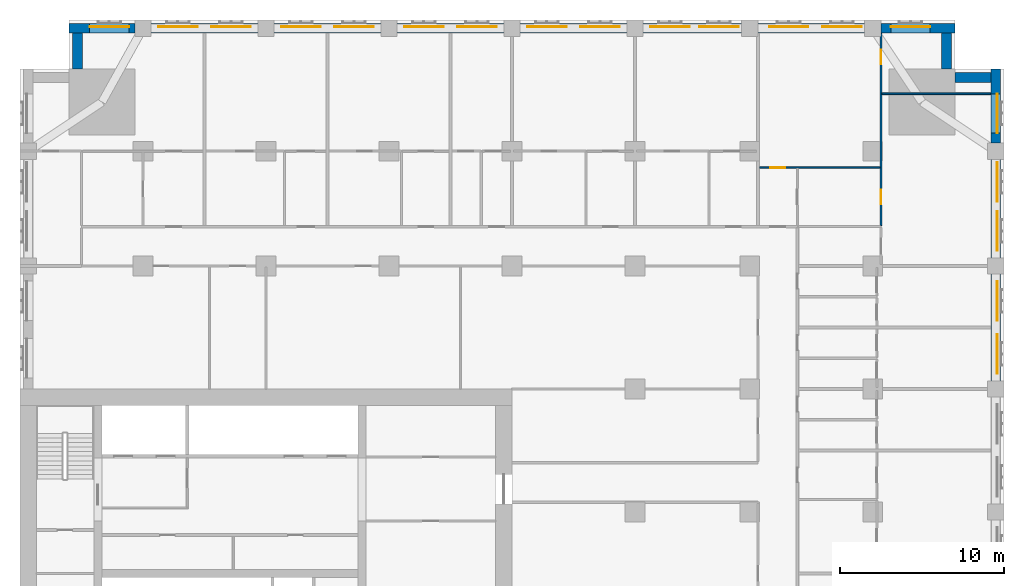
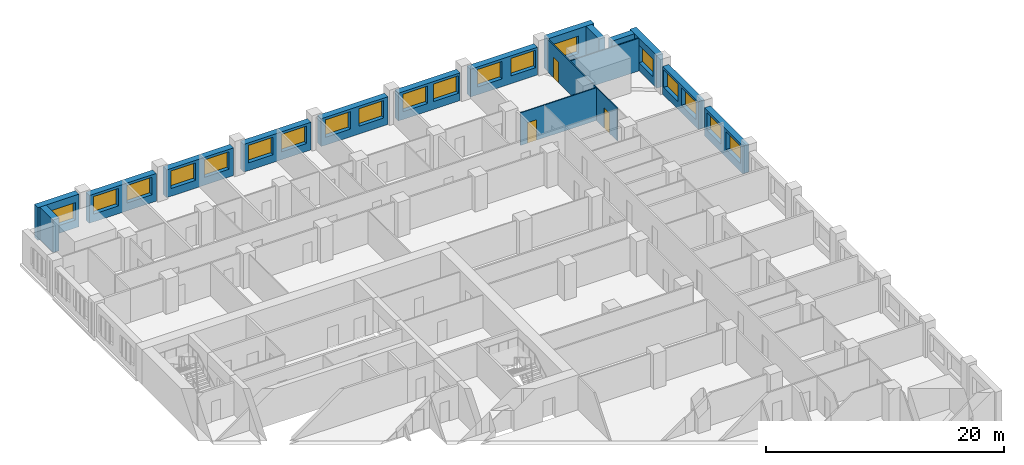
# One storey, part 11 of 14: 19 windows, 17 walls, 3 doors, 22 openings.
"""IFC4 building model written with IfcOpenShell, lengths in metres."""

from ifc_helpers import new_model, si_unit, direction, frame, frame_2d, origin, place, context, subcontext, project, spatial, rectangle, extrude, material, layer, layer_set, type_object, element, fill, save


model = new_model("IFC4")

# Units and contexts
model_context = context("Model", 3, precision=1e-05, world=origin(), true_north=direction((0.0, 1.0)))
body_context = subcontext(model_context, "Body", "Model", "MODEL_VIEW")
ifc_project = project(units=[si_unit("LENGTHUNIT", "METRE"), si_unit("AREAUNIT", "SQUARE_METRE"), si_unit("VOLUMEUNIT", "CUBIC_METRE"), si_unit("PLANEANGLEUNIT", "RADIAN"), si_unit("MASSUNIT", "GRAM", prefix="KILO")], contexts=[model_context])

# Site, building, storey
site_placement = place(None, origin())
site = spatial("IfcSite", under=ifc_project, at=site_placement, CompositionType="ELEMENT")
building_placement = place(site_placement, origin())
building = spatial("IfcBuilding", under=site, at=building_placement, Name="Tamorin Gate", CompositionType="ELEMENT")
storey_placement = place(building_placement, frame((0.0, 0.0, 59.199951171875)))
storey = spatial("IfcBuildingStorey", under=building, at=storey_placement, Name="L13", CompositionType="ELEMENT", Elevation=59.199951171875)

# Wall, openings, windows
ifc_material_1 = material(Name="Precast concrete C40/50", Category="concrete")
ifc_layer_1 = layer(ifc_material_1, 0.60009765625)
ifc_layer_set_1 = layer_set([ifc_layer_1], Name="Precast concrete C40/50")
wall_type_1 = type_object("IfcWallType", Name="Board-marked concrete facade panel 600", PredefinedType="SOLIDWALL", material=ifc_layer_set_1)
wall_1_placement = place(storey_placement, frame((89.5, 83.0, 0.0), z_axis=(0.0, 0.0, 1.0), x_axis=(0.0, 1.0, 0.0)))
wall_1 = element("IfcWall", 1, at=wall_1_placement, inside=storey, type_object=wall_type_1, Name="Facade panel", PredefinedType="SOLIDWALL", context=body_context, shape_type="SweptSolid", body=[
    extrude(rectangle(XDim=6.5, YDim=0.60009765625, at=frame_2d((3.25, 0.0))), origin(), (0.0, 0.0, 1.0), 2.85009765625),
])
opening_1_placement = place(wall_1_placement, frame((0.425048828125, 0.0, 0.800048828125)))
opening_1 = element("IfcOpeningElement", 2, at=opening_1_placement, cuts=wall_1, Name="Opening WN1", PredefinedType="OPENING", context=body_context, shape_type="SweptSolid", body=[
    extrude(rectangle(XDim=2.39990234375, YDim=1.800048828125, at=frame_2d((1.199951171875, 0.89990234375))), frame((0.0, 0.31005859375, 0.0), z_axis=(0.0, -1.0, 0.0), x_axis=(1.0, 0.0, 0.0)), (0.0, 0.0, 1.0), 0.6201171875),
])
opening_2_placement = place(wall_1_placement, frame((3.675048828125, 0.0, 0.800048828125)))
opening_2 = element("IfcOpeningElement", 3, at=opening_2_placement, cuts=wall_1, Name="Opening WN1", PredefinedType="OPENING", context=body_context, shape_type="SweptSolid", body=[
    extrude(rectangle(XDim=2.39990234375, YDim=1.800048828125, at=frame_2d((1.199951171875, 0.89990234375))), frame((0.0, 0.31005859375, 0.0), z_axis=(0.0, -1.0, 0.0), x_axis=(1.0, 0.0, 0.0)), (0.0, 0.0, 1.0), 0.6201171875),
])
ifc_material_2 = material(Name="Clear glass in aluminium frame", Category="aluminium")
window_type = type_object("IfcWindowType", Name="Deep-set window 2400x1800", PartitioningType="SINGLE_PANEL", PredefinedType="WINDOW", material=ifc_material_2)
window_1_placement = place(opening_1_placement, origin())
window_1 = element("IfcWindow", 4, at=window_1_placement, inside=storey, type_object=window_type, Name="Deep-set window", OverallHeight=1.800048828125, OverallWidth=2.39990234375, PartitioningType="SINGLE_PANEL", PredefinedType="WINDOW", context=body_context, shape_type="SweptSolid", body=[
    extrude(rectangle(XDim=2.39990234375, YDim=1.800048828125, at=frame_2d((1.199951171875, 0.89990234375))), frame((0.0, -0.070068359375, 0.0), z_axis=(0.0, -1.0, 0.0), x_axis=(1.0, 0.0, 0.0)), (0.0, 0.0, 1.0), 0.06005859375),
])
fill(opening_1, window_1)
window_2_placement = place(opening_2_placement, origin())
window_2 = element("IfcWindow", 5, at=window_2_placement, inside=storey, type_object=window_type, Name="Deep-set window", OverallHeight=1.800048828125, OverallWidth=2.39990234375, PartitioningType="SINGLE_PANEL", PredefinedType="WINDOW", context=body_context, shape_type="SweptSolid", body=[
    extrude(rectangle(XDim=2.39990234375, YDim=1.800048828125, at=frame_2d((1.199951171875, 0.89990234375))), frame((0.0, -0.070068359375, 0.0), z_axis=(0.0, -1.0, 0.0), x_axis=(1.0, 0.0, 0.0)), (0.0, 0.0, 1.0), 0.06005859375),
])
fill(opening_2, window_2)

wall_2_placement = place(storey_placement, frame((89.5, 90.5, 0.0), z_axis=(0.0, 0.0, 1.0), x_axis=(0.0, 1.0, 0.0)))
wall_2 = element("IfcWall", 6, at=wall_2_placement, inside=storey, type_object=wall_type_1, Name="Facade panel", PredefinedType="SOLIDWALL", context=body_context, shape_type="SweptSolid", body=[
    extrude(rectangle(XDim=6.0, YDim=0.60009765625, at=frame_2d((3.0, 0.0))), origin(), (0.0, 0.0, 1.0), 2.85009765625),
])
opening_3_placement = place(wall_2_placement, frame((0.425048828125, 0.0, 0.800048828125)))
opening_3 = element("IfcOpeningElement", 7, at=opening_3_placement, cuts=wall_2, Name="Opening WN1", PredefinedType="OPENING", context=body_context, shape_type="SweptSolid", body=[
    extrude(rectangle(XDim=2.39990234375, YDim=1.800048828125, at=frame_2d((1.199951171875, 0.89990234375))), frame((0.0, 0.31005859375, 0.0), z_axis=(0.0, -1.0, 0.0), x_axis=(1.0, 0.0, 0.0)), (0.0, 0.0, 1.0), 0.6201171875),
])
opening_4_placement = place(wall_2_placement, frame((3.425048828125, 0.0, 0.800048828125)))
opening_4 = element("IfcOpeningElement", 8, at=opening_4_placement, cuts=wall_2, Name="Opening WN1", PredefinedType="OPENING", context=body_context, shape_type="SweptSolid", body=[
    extrude(rectangle(XDim=2.39990234375, YDim=1.800048828125, at=frame_2d((1.199951171875, 0.89990234375))), frame((0.0, 0.31005859375, 0.0), z_axis=(0.0, -1.0, 0.0), x_axis=(1.0, 0.0, 0.0)), (0.0, 0.0, 1.0), 0.6201171875),
])
window_3_placement = place(opening_3_placement, origin())
window_3 = element("IfcWindow", 9, at=window_3_placement, inside=storey, type_object=window_type, Name="Deep-set window", OverallHeight=1.800048828125, OverallWidth=2.39990234375, PartitioningType="SINGLE_PANEL", PredefinedType="WINDOW", context=body_context, shape_type="SweptSolid", body=[
    extrude(rectangle(XDim=2.39990234375, YDim=1.800048828125, at=frame_2d((1.199951171875, 0.89990234375))), frame((0.0, -0.070068359375, 0.0), z_axis=(0.0, -1.0, 0.0), x_axis=(1.0, 0.0, 0.0)), (0.0, 0.0, 1.0), 0.06005859375),
])
fill(opening_3, window_3)
window_4_placement = place(opening_4_placement, origin())
window_4 = element("IfcWindow", 10, at=window_4_placement, inside=storey, type_object=window_type, Name="Deep-set window", OverallHeight=1.800048828125, OverallWidth=2.39990234375, PartitioningType="SINGLE_PANEL", PredefinedType="WINDOW", context=body_context, shape_type="SweptSolid", body=[
    extrude(rectangle(XDim=2.39990234375, YDim=1.800048828125, at=frame_2d((1.199951171875, 0.89990234375))), frame((0.0, -0.070068359375, 0.0), z_axis=(0.0, -1.0, 0.0), x_axis=(1.0, 0.0, 0.0)), (0.0, 0.0, 1.0), 0.06005859375),
])
fill(opening_4, window_4)

# Wall, opening, window
wall_3_placement = place(storey_placement, frame((89.5, 97.5, 0.0), z_axis=(0.0, 0.0, 1.0), x_axis=(0.0, 1.0, 0.0)))
wall_3 = element("IfcWall", 11, at=wall_3_placement, inside=storey, type_object=wall_type_1, Name="Facade panel", PredefinedType="SOLIDWALL", context=body_context, shape_type="SweptSolid", body=[
    extrude(rectangle(XDim=4.5, YDim=0.60009765625, at=frame_2d((2.25, 0.0))), origin(), (0.0, 0.0, 1.0), 3.35009765625),
])
opening_5_placement = place(wall_3_placement, frame((0.60009765625, 0.0, 0.800048828125)))
opening_5 = element("IfcOpeningElement", 12, at=opening_5_placement, cuts=wall_3, Name="Opening WN1", PredefinedType="OPENING", context=body_context, shape_type="SweptSolid", body=[
    extrude(rectangle(XDim=2.39990234375, YDim=1.800048828125, at=frame_2d((1.199951171875, 0.89990234375))), frame((0.0, 0.31005859375, 0.0), z_axis=(0.0, -1.0, 0.0), x_axis=(1.0, 0.0, 0.0)), (0.0, 0.0, 1.0), 0.6201171875),
])
window_5_placement = place(opening_5_placement, origin())
window_5 = element("IfcWindow", 13, at=window_5_placement, inside=storey, type_object=window_type, Name="Deep-set window", OverallHeight=1.800048828125, OverallWidth=2.39990234375, PartitioningType="SINGLE_PANEL", PredefinedType="WINDOW", context=body_context, shape_type="SweptSolid", body=[
    extrude(rectangle(XDim=2.39990234375, YDim=1.800048828125, at=frame_2d((1.199951171875, 0.89990234375))), frame((0.0, -0.070068359375, 0.0), z_axis=(0.0, -1.0, 0.0), x_axis=(1.0, 0.0, 0.0)), (0.0, 0.0, 1.0), 0.06005859375),
])
fill(opening_5, window_5)

# Walls
for number, where, z_axis, x_axis, name in (
    (14, (89.199951171875, 101.5, 0.0), (0.0, 0.0, 1.0), (-1.0, 0.0, 0.0), "Facade panel"),
    (15, (86.5, 102.0, 0.0), (0.0, 0.0, 1.0), (0.0, 1.0, 0.0), "Facade panel"),
):
    element("IfcWall", number, at=place(storey_placement, frame(where, z_axis=z_axis, x_axis=x_axis)), inside=storey, type_object=wall_type_1, Name=name, PredefinedType="SOLIDWALL", context=body_context, shape_type="SweptSolid", body=[
        extrude(rectangle(XDim=2.199951171875, YDim=0.60009765625, at=frame_2d((1.10009765625, 0.0))), origin(), (0.0, 0.0, 1.0), 3.35009765625),
    ])

# Wall, opening, window
wall_4_placement = place(storey_placement, frame((87.0, 104.5, 0.0), z_axis=(0.0, 0.0, 1.0), x_axis=(-1.0, 0.0, 0.0)))
wall_4 = element("IfcWall", 16, at=wall_4_placement, inside=storey, type_object=wall_type_1, Name="Facade panel", PredefinedType="SOLIDWALL", context=body_context, shape_type="SweptSolid", body=[
    extrude(rectangle(XDim=4.5, YDim=0.60009765625, at=frame_2d((2.25, 0.0))), origin(), (0.0, 0.0, 1.0), 3.35009765625),
])
opening_6_placement = place(wall_4_placement, frame((1.5, 0.0, 0.800048828125)))
opening_6 = element("IfcOpeningElement", 17, at=opening_6_placement, cuts=wall_4, Name="Opening WN1", PredefinedType="OPENING", context=body_context, shape_type="SweptSolid", body=[
    extrude(rectangle(XDim=2.39990234375, YDim=1.800048828125, at=frame_2d((1.199951171875, 0.89990234375))), frame((0.0, 0.31005859375, 0.0), z_axis=(0.0, -1.0, 0.0), x_axis=(1.0, 0.0, 0.0)), (0.0, 0.0, 1.0), 0.6201171875),
])
window_6_placement = place(opening_6_placement, origin())
window_6 = element("IfcWindow", 18, at=window_6_placement, inside=storey, type_object=window_type, Name="Deep-set window", OverallHeight=1.800048828125, OverallWidth=2.39990234375, PartitioningType="SINGLE_PANEL", PredefinedType="WINDOW", context=body_context, shape_type="SweptSolid", body=[
    extrude(rectangle(XDim=2.39990234375, YDim=1.800048828125, at=frame_2d((1.199951171875, 0.89990234375))), frame((0.0, -0.070068359375, 0.0), z_axis=(0.0, -1.0, 0.0), x_axis=(1.0, 0.0, 0.0)), (0.0, 0.0, 1.0), 0.06005859375),
])
fill(opening_6, window_6)

# Wall, openings, windows
wall_5_placement = place(storey_placement, frame((81.5, 104.5, 0.0), z_axis=(0.0, 0.0, 1.0), x_axis=(-1.0, 0.0, 0.0)))
wall_5 = element("IfcWall", 19, at=wall_5_placement, inside=storey, type_object=wall_type_1, Name="Facade panel", PredefinedType="SOLIDWALL", context=body_context, shape_type="SweptSolid", body=[
    extrude(rectangle(XDim=6.5, YDim=0.60009765625, at=frame_2d((3.25, 0.0))), origin(), (0.0, 0.0, 1.0), 2.85009765625),
])
opening_7_placement = place(wall_5_placement, frame((3.425048828125, 0.0, 0.800048828125)))
opening_7 = element("IfcOpeningElement", 20, at=opening_7_placement, cuts=wall_5, Name="Opening WN1", PredefinedType="OPENING", context=body_context, shape_type="SweptSolid", body=[
    extrude(rectangle(XDim=2.39990234375, YDim=1.800048828125, at=frame_2d((1.199951171875, 0.89990234375))), frame((0.0, 0.31005859375, 0.0), z_axis=(0.0, -1.0, 0.0), x_axis=(1.0, 0.0, 0.0)), (0.0, 0.0, 1.0), 0.6201171875),
])
opening_8_placement = place(wall_5_placement, frame((0.175048828125, 0.0, 0.800048828125)))
opening_8 = element("IfcOpeningElement", 21, at=opening_8_placement, cuts=wall_5, Name="Opening WN1", PredefinedType="OPENING", context=body_context, shape_type="SweptSolid", body=[
    extrude(rectangle(XDim=2.39990234375, YDim=1.800048828125, at=frame_2d((1.199951171875, 0.89990234375))), frame((0.0, 0.31005859375, 0.0), z_axis=(0.0, -1.0, 0.0), x_axis=(1.0, 0.0, 0.0)), (0.0, 0.0, 1.0), 0.6201171875),
])
window_7_placement = place(opening_7_placement, origin())
window_7 = element("IfcWindow", 22, at=window_7_placement, inside=storey, type_object=window_type, Name="Deep-set window", OverallHeight=1.800048828125, OverallWidth=2.39990234375, PartitioningType="SINGLE_PANEL", PredefinedType="WINDOW", context=body_context, shape_type="SweptSolid", body=[
    extrude(rectangle(XDim=2.39990234375, YDim=1.800048828125, at=frame_2d((1.199951171875, 0.89990234375))), frame((0.0, -0.070068359375, 0.0), z_axis=(0.0, -1.0, 0.0), x_axis=(1.0, 0.0, 0.0)), (0.0, 0.0, 1.0), 0.06005859375),
])
fill(opening_7, window_7)
window_8_placement = place(opening_8_placement, origin())
window_8 = element("IfcWindow", 23, at=window_8_placement, inside=storey, type_object=window_type, Name="Deep-set window", OverallHeight=1.800048828125, OverallWidth=2.39990234375, PartitioningType="SINGLE_PANEL", PredefinedType="WINDOW", context=body_context, shape_type="SweptSolid", body=[
    extrude(rectangle(XDim=2.39990234375, YDim=1.800048828125, at=frame_2d((1.199951171875, 0.89990234375))), frame((0.0, -0.070068359375, 0.0), z_axis=(0.0, -1.0, 0.0), x_axis=(1.0, 0.0, 0.0)), (0.0, 0.0, 1.0), 0.06005859375),
])
fill(opening_8, window_8)

wall_6_placement = place(storey_placement, frame((74.0, 104.5, 0.0), z_axis=(0.0, 0.0, 1.0), x_axis=(-1.0, 0.0, 0.0)))
wall_6 = element("IfcWall", 24, at=wall_6_placement, inside=storey, type_object=wall_type_1, Name="Facade panel", PredefinedType="SOLIDWALL", context=body_context, shape_type="SweptSolid", body=[
    extrude(rectangle(XDim=6.0, YDim=0.60009765625, at=frame_2d((3.0, 0.0))), origin(), (0.0, 0.0, 1.0), 2.85009765625),
])
opening_9_placement = place(wall_6_placement, frame((3.175048828125, 0.0, 0.800048828125)))
opening_9 = element("IfcOpeningElement", 25, at=opening_9_placement, cuts=wall_6, Name="Opening WN1", PredefinedType="OPENING", context=body_context, shape_type="SweptSolid", body=[
    extrude(rectangle(XDim=2.39990234375, YDim=1.800048828125, at=frame_2d((1.199951171875, 0.89990234375))), frame((0.0, 0.31005859375, 0.0), z_axis=(0.0, -1.0, 0.0), x_axis=(1.0, 0.0, 0.0)), (0.0, 0.0, 1.0), 0.6201171875),
])
opening_10_placement = place(wall_6_placement, frame((0.175048828125, 0.0, 0.800048828125)))
opening_10 = element("IfcOpeningElement", 26, at=opening_10_placement, cuts=wall_6, Name="Opening WN1", PredefinedType="OPENING", context=body_context, shape_type="SweptSolid", body=[
    extrude(rectangle(XDim=2.39990234375, YDim=1.800048828125, at=frame_2d((1.199951171875, 0.89990234375))), frame((0.0, 0.31005859375, 0.0), z_axis=(0.0, -1.0, 0.0), x_axis=(1.0, 0.0, 0.0)), (0.0, 0.0, 1.0), 0.6201171875),
])
window_9_placement = place(opening_9_placement, origin())
window_9 = element("IfcWindow", 27, at=window_9_placement, inside=storey, type_object=window_type, Name="Deep-set window", OverallHeight=1.800048828125, OverallWidth=2.39990234375, PartitioningType="SINGLE_PANEL", PredefinedType="WINDOW", context=body_context, shape_type="SweptSolid", body=[
    extrude(rectangle(XDim=2.39990234375, YDim=1.800048828125, at=frame_2d((1.199951171875, 0.89990234375))), frame((0.0, -0.070068359375, 0.0), z_axis=(0.0, -1.0, 0.0), x_axis=(1.0, 0.0, 0.0)), (0.0, 0.0, 1.0), 0.06005859375),
])
fill(opening_9, window_9)
window_10_placement = place(opening_10_placement, origin())
window_10 = element("IfcWindow", 28, at=window_10_placement, inside=storey, type_object=window_type, Name="Deep-set window", OverallHeight=1.800048828125, OverallWidth=2.39990234375, PartitioningType="SINGLE_PANEL", PredefinedType="WINDOW", context=body_context, shape_type="SweptSolid", body=[
    extrude(rectangle(XDim=2.39990234375, YDim=1.800048828125, at=frame_2d((1.199951171875, 0.89990234375))), frame((0.0, -0.070068359375, 0.0), z_axis=(0.0, -1.0, 0.0), x_axis=(1.0, 0.0, 0.0)), (0.0, 0.0, 1.0), 0.06005859375),
])
fill(opening_10, window_10)

wall_7_placement = place(storey_placement, frame((67.0, 104.5, 0.0), z_axis=(0.0, 0.0, 1.0), x_axis=(-1.0, 0.0, 0.0)))
wall_7 = element("IfcWall", 29, at=wall_7_placement, inside=storey, type_object=wall_type_1, Name="Facade panel", PredefinedType="SOLIDWALL", context=body_context, shape_type="SweptSolid", body=[
    extrude(rectangle(XDim=6.5, YDim=0.60009765625, at=frame_2d((3.25, 0.0))), origin(), (0.0, 0.0, 1.0), 2.85009765625),
])
opening_11_placement = place(wall_7_placement, frame((3.675048828125, 0.0, 0.800048828125)))
opening_11 = element("IfcOpeningElement", 30, at=opening_11_placement, cuts=wall_7, Name="Opening WN1", PredefinedType="OPENING", context=body_context, shape_type="SweptSolid", body=[
    extrude(rectangle(XDim=2.39990234375, YDim=1.800048828125, at=frame_2d((1.199951171875, 0.89990234375))), frame((0.0, 0.31005859375, 0.0), z_axis=(0.0, -1.0, 0.0), x_axis=(1.0, 0.0, 0.0)), (0.0, 0.0, 1.0), 0.6201171875),
])
opening_12_placement = place(wall_7_placement, frame((0.425048828125, 0.0, 0.800048828125)))
opening_12 = element("IfcOpeningElement", 31, at=opening_12_placement, cuts=wall_7, Name="Opening WN1", PredefinedType="OPENING", context=body_context, shape_type="SweptSolid", body=[
    extrude(rectangle(XDim=2.39990234375, YDim=1.800048828125, at=frame_2d((1.199951171875, 0.89990234375))), frame((0.0, 0.31005859375, 0.0), z_axis=(0.0, -1.0, 0.0), x_axis=(1.0, 0.0, 0.0)), (0.0, 0.0, 1.0), 0.6201171875),
])
window_11_placement = place(opening_11_placement, origin())
window_11 = element("IfcWindow", 32, at=window_11_placement, inside=storey, type_object=window_type, Name="Deep-set window", OverallHeight=1.800048828125, OverallWidth=2.39990234375, PartitioningType="SINGLE_PANEL", PredefinedType="WINDOW", context=body_context, shape_type="SweptSolid", body=[
    extrude(rectangle(XDim=2.39990234375, YDim=1.800048828125, at=frame_2d((1.199951171875, 0.89990234375))), frame((0.0, -0.070068359375, 0.0), z_axis=(0.0, -1.0, 0.0), x_axis=(1.0, 0.0, 0.0)), (0.0, 0.0, 1.0), 0.06005859375),
])
fill(opening_11, window_11)
window_12_placement = place(opening_12_placement, origin())
window_12 = element("IfcWindow", 33, at=window_12_placement, inside=storey, type_object=window_type, Name="Deep-set window", OverallHeight=1.800048828125, OverallWidth=2.39990234375, PartitioningType="SINGLE_PANEL", PredefinedType="WINDOW", context=body_context, shape_type="SweptSolid", body=[
    extrude(rectangle(XDim=2.39990234375, YDim=1.800048828125, at=frame_2d((1.199951171875, 0.89990234375))), frame((0.0, -0.070068359375, 0.0), z_axis=(0.0, -1.0, 0.0), x_axis=(1.0, 0.0, 0.0)), (0.0, 0.0, 1.0), 0.06005859375),
])
fill(opening_12, window_12)

wall_8_placement = place(storey_placement, frame((59.5, 104.5, 0.0), z_axis=(0.0, 0.0, 1.0), x_axis=(-1.0, 0.0, 0.0)))
wall_8 = element("IfcWall", 34, at=wall_8_placement, inside=storey, type_object=wall_type_1, Name="Facade panel", PredefinedType="SOLIDWALL", context=body_context, shape_type="SweptSolid", body=[
    extrude(rectangle(XDim=6.5, YDim=0.60009765625, at=frame_2d((3.25, 0.0))), origin(), (0.0, 0.0, 1.0), 2.85009765625),
])
opening_13_placement = place(wall_8_placement, frame((3.675048828125, 0.0, 0.800048828125)))
opening_13 = element("IfcOpeningElement", 35, at=opening_13_placement, cuts=wall_8, Name="Opening WN1", PredefinedType="OPENING", context=body_context, shape_type="SweptSolid", body=[
    extrude(rectangle(XDim=2.39990234375, YDim=1.800048828125, at=frame_2d((1.199951171875, 0.89990234375))), frame((0.0, 0.31005859375, 0.0), z_axis=(0.0, -1.0, 0.0), x_axis=(1.0, 0.0, 0.0)), (0.0, 0.0, 1.0), 0.6201171875),
])
opening_14_placement = place(wall_8_placement, frame((0.425048828125, 0.0, 0.800048828125)))
opening_14 = element("IfcOpeningElement", 36, at=opening_14_placement, cuts=wall_8, Name="Opening WN1", PredefinedType="OPENING", context=body_context, shape_type="SweptSolid", body=[
    extrude(rectangle(XDim=2.39990234375, YDim=1.800048828125, at=frame_2d((1.199951171875, 0.89990234375))), frame((0.0, 0.31005859375, 0.0), z_axis=(0.0, -1.0, 0.0), x_axis=(1.0, 0.0, 0.0)), (0.0, 0.0, 1.0), 0.6201171875),
])
window_13_placement = place(opening_13_placement, origin())
window_13 = element("IfcWindow", 37, at=window_13_placement, inside=storey, type_object=window_type, Name="Deep-set window", OverallHeight=1.800048828125, OverallWidth=2.39990234375, PartitioningType="SINGLE_PANEL", PredefinedType="WINDOW", context=body_context, shape_type="SweptSolid", body=[
    extrude(rectangle(XDim=2.39990234375, YDim=1.800048828125, at=frame_2d((1.199951171875, 0.89990234375))), frame((0.0, -0.070068359375, 0.0), z_axis=(0.0, -1.0, 0.0), x_axis=(1.0, 0.0, 0.0)), (0.0, 0.0, 1.0), 0.06005859375),
])
fill(opening_13, window_13)
window_14_placement = place(opening_14_placement, origin())
window_14 = element("IfcWindow", 38, at=window_14_placement, inside=storey, type_object=window_type, Name="Deep-set window", OverallHeight=1.800048828125, OverallWidth=2.39990234375, PartitioningType="SINGLE_PANEL", PredefinedType="WINDOW", context=body_context, shape_type="SweptSolid", body=[
    extrude(rectangle(XDim=2.39990234375, YDim=1.800048828125, at=frame_2d((1.199951171875, 0.89990234375))), frame((0.0, -0.070068359375, 0.0), z_axis=(0.0, -1.0, 0.0), x_axis=(1.0, 0.0, 0.0)), (0.0, 0.0, 1.0), 0.06005859375),
])
fill(opening_14, window_14)

wall_9_placement = place(storey_placement, frame((52.0, 104.5, 0.0), z_axis=(0.0, 0.0, 1.0), x_axis=(-1.0, 0.0, 0.0)))
wall_9 = element("IfcWall", 39, at=wall_9_placement, inside=storey, type_object=wall_type_1, Name="Facade panel", PredefinedType="SOLIDWALL", context=body_context, shape_type="SweptSolid", body=[
    extrude(rectangle(XDim=6.5, YDim=0.60009765625, at=frame_2d((3.25, 0.0))), origin(), (0.0, 0.0, 1.0), 2.85009765625),
])
opening_15_placement = place(wall_9_placement, frame((3.675048828125, 0.0, 0.800048828125)))
opening_15 = element("IfcOpeningElement", 40, at=opening_15_placement, cuts=wall_9, Name="Opening WN1", PredefinedType="OPENING", context=body_context, shape_type="SweptSolid", body=[
    extrude(rectangle(XDim=2.39990234375, YDim=1.800048828125, at=frame_2d((1.199951171875, 0.89990234375))), frame((0.0, 0.31005859375, 0.0), z_axis=(0.0, -1.0, 0.0), x_axis=(1.0, 0.0, 0.0)), (0.0, 0.0, 1.0), 0.6201171875),
])
opening_16_placement = place(wall_9_placement, frame((0.425048828125, 0.0, 0.800048828125)))
opening_16 = element("IfcOpeningElement", 41, at=opening_16_placement, cuts=wall_9, Name="Opening WN1", PredefinedType="OPENING", context=body_context, shape_type="SweptSolid", body=[
    extrude(rectangle(XDim=2.39990234375, YDim=1.800048828125, at=frame_2d((1.199951171875, 0.89990234375))), frame((0.0, 0.31005859375, 0.0), z_axis=(0.0, -1.0, 0.0), x_axis=(1.0, 0.0, 0.0)), (0.0, 0.0, 1.0), 0.6201171875),
])
window_15_placement = place(opening_15_placement, origin())
window_15 = element("IfcWindow", 42, at=window_15_placement, inside=storey, type_object=window_type, Name="Deep-set window", OverallHeight=1.800048828125, OverallWidth=2.39990234375, PartitioningType="SINGLE_PANEL", PredefinedType="WINDOW", context=body_context, shape_type="SweptSolid", body=[
    extrude(rectangle(XDim=2.39990234375, YDim=1.800048828125, at=frame_2d((1.199951171875, 0.89990234375))), frame((0.0, -0.070068359375, 0.0), z_axis=(0.0, -1.0, 0.0), x_axis=(1.0, 0.0, 0.0)), (0.0, 0.0, 1.0), 0.06005859375),
])
fill(opening_15, window_15)
window_16_placement = place(opening_16_placement, origin())
window_16 = element("IfcWindow", 43, at=window_16_placement, inside=storey, type_object=window_type, Name="Deep-set window", OverallHeight=1.800048828125, OverallWidth=2.39990234375, PartitioningType="SINGLE_PANEL", PredefinedType="WINDOW", context=body_context, shape_type="SweptSolid", body=[
    extrude(rectangle(XDim=2.39990234375, YDim=1.800048828125, at=frame_2d((1.199951171875, 0.89990234375))), frame((0.0, -0.070068359375, 0.0), z_axis=(0.0, -1.0, 0.0), x_axis=(1.0, 0.0, 0.0)), (0.0, 0.0, 1.0), 0.06005859375),
])
fill(opening_16, window_16)

wall_10_placement = place(storey_placement, frame((44.5, 104.5, 0.0), z_axis=(0.0, 0.0, 1.0), x_axis=(-1.0, 0.0, 0.0)))
wall_10 = element("IfcWall", 44, at=wall_10_placement, inside=storey, type_object=wall_type_1, Name="Facade panel", PredefinedType="SOLIDWALL", context=body_context, shape_type="SweptSolid", body=[
    extrude(rectangle(XDim=6.5, YDim=0.60009765625, at=frame_2d((3.25, 0.0))), origin(), (0.0, 0.0, 1.0), 2.85009765625),
])
opening_17_placement = place(wall_10_placement, frame((3.675048828125, 0.0, 0.800048828125)))
opening_17 = element("IfcOpeningElement", 45, at=opening_17_placement, cuts=wall_10, Name="Opening WN1", PredefinedType="OPENING", context=body_context, shape_type="SweptSolid", body=[
    extrude(rectangle(XDim=2.39990234375, YDim=1.800048828125, at=frame_2d((1.199951171875, 0.89990234375))), frame((0.0, 0.31005859375, 0.0), z_axis=(0.0, -1.0, 0.0), x_axis=(1.0, 0.0, 0.0)), (0.0, 0.0, 1.0), 0.6201171875),
])
opening_18_placement = place(wall_10_placement, frame((0.425048828125, 0.0, 0.800048828125)))
opening_18 = element("IfcOpeningElement", 46, at=opening_18_placement, cuts=wall_10, Name="Opening WN1", PredefinedType="OPENING", context=body_context, shape_type="SweptSolid", body=[
    extrude(rectangle(XDim=2.39990234375, YDim=1.800048828125, at=frame_2d((1.199951171875, 0.89990234375))), frame((0.0, 0.31005859375, 0.0), z_axis=(0.0, -1.0, 0.0), x_axis=(1.0, 0.0, 0.0)), (0.0, 0.0, 1.0), 0.6201171875),
])
window_17_placement = place(opening_17_placement, origin())
window_17 = element("IfcWindow", 47, at=window_17_placement, inside=storey, type_object=window_type, Name="Deep-set window", OverallHeight=1.800048828125, OverallWidth=2.39990234375, PartitioningType="SINGLE_PANEL", PredefinedType="WINDOW", context=body_context, shape_type="SweptSolid", body=[
    extrude(rectangle(XDim=2.39990234375, YDim=1.800048828125, at=frame_2d((1.199951171875, 0.89990234375))), frame((0.0, -0.070068359375, 0.0), z_axis=(0.0, -1.0, 0.0), x_axis=(1.0, 0.0, 0.0)), (0.0, 0.0, 1.0), 0.06005859375),
])
fill(opening_17, window_17)
window_18_placement = place(opening_18_placement, origin())
window_18 = element("IfcWindow", 48, at=window_18_placement, inside=storey, type_object=window_type, Name="Deep-set window", OverallHeight=1.800048828125, OverallWidth=2.39990234375, PartitioningType="SINGLE_PANEL", PredefinedType="WINDOW", context=body_context, shape_type="SweptSolid", body=[
    extrude(rectangle(XDim=2.39990234375, YDim=1.800048828125, at=frame_2d((1.199951171875, 0.89990234375))), frame((0.0, -0.070068359375, 0.0), z_axis=(0.0, -1.0, 0.0), x_axis=(1.0, 0.0, 0.0)), (0.0, 0.0, 1.0), 0.06005859375),
])
fill(opening_18, window_18)

# Wall, opening, window
wall_11_placement = place(storey_placement, frame((37.0, 104.5, 0.0), z_axis=(0.0, 0.0, 1.0), x_axis=(-1.0, 0.0, 0.0)))
wall_11 = element("IfcWall", 49, at=wall_11_placement, inside=storey, type_object=wall_type_1, Name="Facade panel", PredefinedType="SOLIDWALL", context=body_context, shape_type="SweptSolid", body=[
    extrude(rectangle(XDim=4.0, YDim=0.60009765625, at=frame_2d((2.0, 0.0))), origin(), (0.0, 0.0, 1.0), 3.35009765625),
])
opening_19_placement = place(wall_11_placement, frame((0.35009765625, 0.0, 0.800048828125)))
opening_19 = element("IfcOpeningElement", 50, at=opening_19_placement, cuts=wall_11, Name="Opening WN1", PredefinedType="OPENING", context=body_context, shape_type="SweptSolid", body=[
    extrude(rectangle(XDim=2.39990234375, YDim=1.800048828125, at=frame_2d((1.199951171875, 0.89990234375))), frame((0.0, 0.31005859375, 0.0), z_axis=(0.0, -1.0, 0.0), x_axis=(1.0, 0.0, 0.0)), (0.0, 0.0, 1.0), 0.6201171875),
])
window_19_placement = place(opening_19_placement, origin())
window_19 = element("IfcWindow", 51, at=window_19_placement, inside=storey, type_object=window_type, Name="Deep-set window", OverallHeight=1.800048828125, OverallWidth=2.39990234375, PartitioningType="SINGLE_PANEL", PredefinedType="WINDOW", context=body_context, shape_type="SweptSolid", body=[
    extrude(rectangle(XDim=2.39990234375, YDim=1.800048828125, at=frame_2d((1.199951171875, 0.89990234375))), frame((0.0, -0.070068359375, 0.0), z_axis=(0.0, -1.0, 0.0), x_axis=(1.0, 0.0, 0.0)), (0.0, 0.0, 1.0), 0.06005859375),
])
fill(opening_19, window_19)

# Wall
wall_12_placement = place(storey_placement, frame((33.5, 104.199951171875, 0.0), z_axis=(0.0, 0.0, 1.0), x_axis=(0.0, -1.0, 0.0)))
element("IfcWall", 52, at=wall_12_placement, inside=storey, type_object=wall_type_1, Name="Facade panel", PredefinedType="SOLIDWALL", context=body_context, shape_type="SweptSolid", body=[
    extrude(rectangle(XDim=2.199951171875, YDim=0.60009765625, at=frame_2d((1.10009765625, 0.0))), origin(), (0.0, 0.0, 1.0), 3.35009765625),
])

# Wall, opening, door
ifc_material_3 = material(Name="Gypsum board partition")
ifc_layer_2 = layer(ifc_material_3, 0.10009765625)
ifc_layer_set_2 = layer_set([ifc_layer_2], Name="Room partition 100")
wall_type_2 = type_object("IfcWallType", Name="Room partition 100", PredefinedType="PARTITIONING", material=ifc_layer_set_2)
wall_13_placement = place(storey_placement, frame((75.10009765625, 96.0, 0.0), z_axis=(0.0, 0.0, 1.0), x_axis=(1.0, 0.0, 0.0)))
wall_13 = element("IfcWall", 53, at=wall_13_placement, inside=storey, type_object=wall_type_2, Name="Room partition 100", PredefinedType="PARTITIONING", context=body_context, shape_type="SweptSolid", body=[
    extrude(rectangle(XDim=7.349853515625, YDim=0.10009765625, at=frame_2d((3.6748046875, 0.0))), origin(), (0.0, 0.0, 1.0), 3.35009765625),
])
opening_20_placement = place(wall_13_placement, frame((0.64990234375, 0.0, 0.0)))
opening_20 = element("IfcOpeningElement", 54, at=opening_20_placement, cuts=wall_13, Name="Opening DH4067", PredefinedType="OPENING", context=body_context, shape_type="SweptSolid", body=[
    extrude(rectangle(XDim=0.89990234375, YDim=2.10009765625, at=frame_2d((0.449951171875, 1.050048828125))), frame((0.0, 0.06005859375, 0.0), z_axis=(0.0, -1.0, 0.0), x_axis=(1.0, 0.0, 0.0)), (0.0, 0.0, 1.0), 0.1201171875),
])
ifc_material_4 = material(Name="Timber door leaf", Category="wood")
door_type = type_object("IfcDoorType", Name="Door 900 x 2100", OperationType="NOTDEFINED", PredefinedType="DOOR", material=ifc_material_4)
door_1_placement = place(opening_20_placement, origin())
door_1 = element("IfcDoor", 55, at=door_1_placement, inside=storey, type_object=door_type, Name="Door DH4067", OperationType="SINGLE_SWING_LEFT", OverallHeight=2.10009765625, OverallWidth=0.89990234375, PredefinedType="DOOR", context=body_context, shape_type="SweptSolid", body=[
    extrude(rectangle(XDim=0.89990234375, YDim=2.10009765625, at=frame_2d((0.449951171875, 1.050048828125))), frame((0.0, 0.02490234375, 0.0), z_axis=(0.0, -1.0, 0.0), x_axis=(1.0, 0.0, 0.0)), (0.0, 0.0, 1.0), 0.050048828125),
])
fill(opening_20, door_1)

# Wall
wall_14_placement = place(storey_placement, frame((82.550048828125, 100.5, 0.0), z_axis=(0.0, 0.0, 1.0), x_axis=(1.0, 0.0, 0.0)))
element("IfcWall", 56, at=wall_14_placement, inside=storey, type_object=wall_type_2, Name="Room partition 100", PredefinedType="PARTITIONING", context=body_context, shape_type="SweptSolid", body=[
    extrude(rectangle(XDim=6.639892578125, YDim=0.10009765625, at=frame_2d((3.31982421875, 0.0))), origin(), (0.0, 0.0, 1.0), 3.35009765625),
])

# Wall, openings, doors
wall_15_placement = place(storey_placement, frame((82.5, 92.46240234375, 0.0), z_axis=(0.0, 0.0, 1.0), x_axis=(0.0, 1.0, 0.0)))
wall_15 = element("IfcWall", 57, at=wall_15_placement, inside=storey, type_object=wall_type_2, Name="Room partition 100", PredefinedType="PARTITIONING", context=body_context, shape_type="SweptSolid", body=[
    extrude(rectangle(XDim=11.7275390625, YDim=0.10009765625, at=frame_2d((5.86376953125, 0.0))), origin(), (0.0, 0.0, 1.0), 3.35009765625),
])
opening_21_placement = place(wall_15_placement, frame((9.83740234375, 0.0, 0.0)))
opening_21 = element("IfcOpeningElement", 58, at=opening_21_placement, cuts=wall_15, Name="Opening DH4069", PredefinedType="OPENING", context=body_context, shape_type="SweptSolid", body=[
    extrude(rectangle(XDim=0.89990234375, YDim=2.10009765625, at=frame_2d((0.449951171875, 1.050048828125))), frame((0.0, 0.06005859375, 0.0), z_axis=(0.0, -1.0, 0.0), x_axis=(1.0, 0.0, 0.0)), (0.0, 0.0, 1.0), 0.1201171875),
])
opening_22_placement = place(wall_15_placement, frame((1.28759765625, 0.0, 0.0)))
opening_22 = element("IfcOpeningElement", 59, at=opening_22_placement, cuts=wall_15, Name="Opening DH4070", PredefinedType="OPENING", context=body_context, shape_type="SweptSolid", body=[
    extrude(rectangle(XDim=0.89990234375, YDim=2.10009765625, at=frame_2d((0.449951171875, 1.050048828125))), frame((0.0, 0.06005859375, 0.0), z_axis=(0.0, -1.0, 0.0), x_axis=(1.0, 0.0, 0.0)), (0.0, 0.0, 1.0), 0.1201171875),
])
door_2_placement = place(opening_21_placement, origin())
door_2 = element("IfcDoor", 60, at=door_2_placement, inside=storey, type_object=door_type, Name="Door DH4069", OperationType="SINGLE_SWING_LEFT", OverallHeight=2.10009765625, OverallWidth=0.89990234375, PredefinedType="DOOR", context=body_context, shape_type="SweptSolid", body=[
    extrude(rectangle(XDim=0.89990234375, YDim=2.10009765625, at=frame_2d((0.449951171875, 1.050048828125))), frame((0.0, 0.02490234375, 0.0), z_axis=(0.0, -1.0, 0.0), x_axis=(1.0, 0.0, 0.0)), (0.0, 0.0, 1.0), 0.050048828125),
])
fill(opening_21, door_2)
door_3_placement = place(opening_22_placement, origin())
door_3 = element("IfcDoor", 61, at=door_3_placement, inside=storey, type_object=door_type, Name="Door DH4070", OperationType="SINGLE_SWING_RIGHT", OverallHeight=2.10009765625, OverallWidth=0.89990234375, PredefinedType="DOOR", context=body_context, shape_type="SweptSolid", body=[
    extrude(rectangle(XDim=0.89990234375, YDim=2.10009765625, at=frame_2d((0.449951171875, 1.050048828125))), frame((0.0, 0.02490234375, 0.0), z_axis=(0.0, -1.0, 0.0), x_axis=(1.0, 0.0, 0.0)), (0.0, 0.0, 1.0), 0.050048828125),
])
fill(opening_22, door_3)

save(model, "model.ifc")
